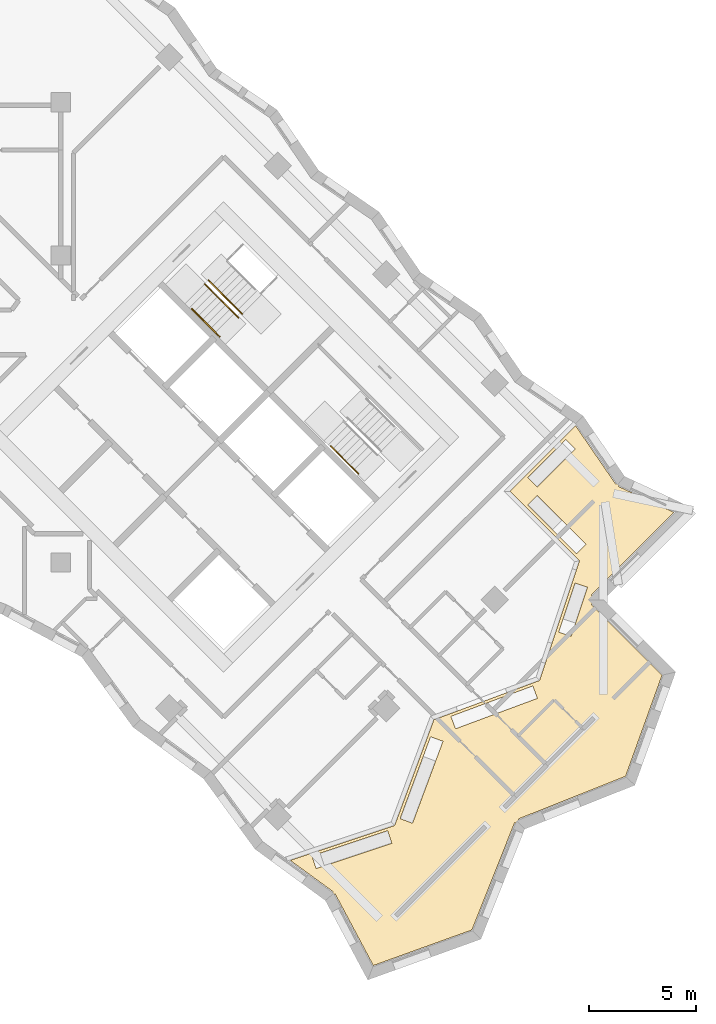
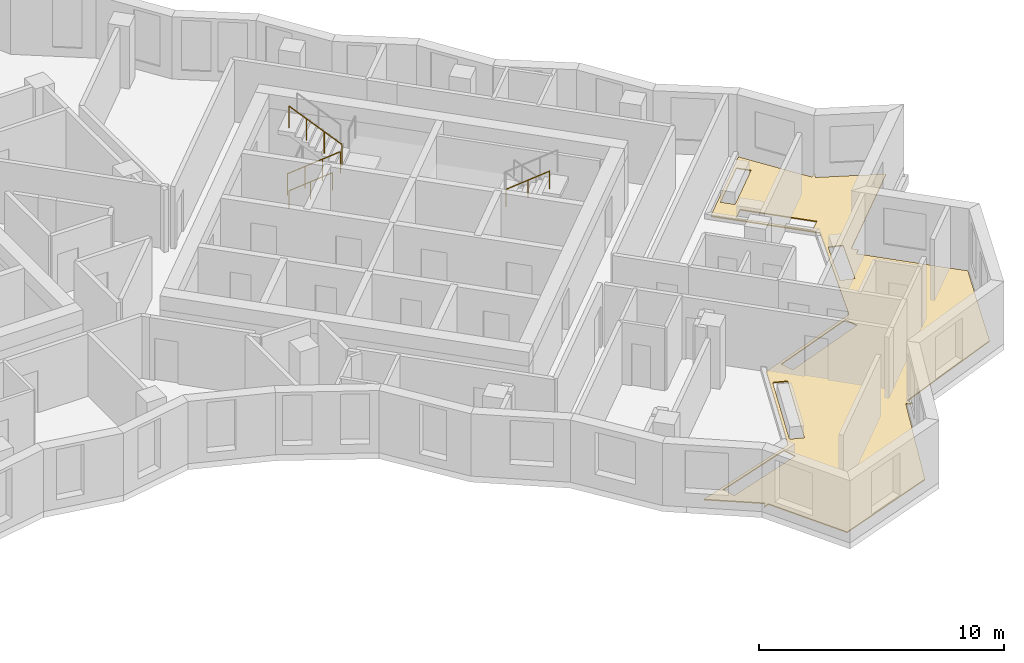
# One storey, part 12 of 13: 4 railings, 1 covering.
"""IFC4 building model written with IfcOpenShell, lengths in metres."""

from ifc_helpers import new_model, si_unit, direction, frame, origin, origin_2d, place, context, subcontext, project, spatial, polyline, circle, outline, extrude, material, layer, layer_set, type_object, element, save


model = new_model("IFC4")

# Units and contexts
model_context = context("Model", 3, precision=1e-05, world=origin(), true_north=direction((0.0, 1.0)))
body_context = subcontext(model_context, "Body", "Model", "MODEL_VIEW")
ifc_project = project(units=[si_unit("LENGTHUNIT", "METRE"), si_unit("AREAUNIT", "SQUARE_METRE"), si_unit("VOLUMEUNIT", "CUBIC_METRE"), si_unit("PLANEANGLEUNIT", "RADIAN"), si_unit("MASSUNIT", "GRAM", prefix="KILO")], contexts=[model_context])

# Site, building, storey
site_placement = place(None, origin())
site = spatial("IfcSite", under=ifc_project, at=site_placement, CompositionType="ELEMENT")
building_placement = place(site_placement, origin())
building = spatial("IfcBuilding", under=site, at=building_placement, Name="Windrow Commons", CompositionType="ELEMENT")
storey_placement = place(building_placement, frame((0.0, 0.0, 172.8)))
storey = spatial("IfcBuildingStorey", under=building, at=storey_placement, Name="L47", CompositionType="ELEMENT", Elevation=172.8)

# Railings
ifc_material_1 = material(Name="Steel S355", Category="steel")
railing_type_1 = type_object("IfcRailingType", Name="Core stair guard 1100", PredefinedType="GUARDRAIL", material=ifc_material_1)
railing_1_placement = place(storey_placement, frame((85.9529, 56.2669, 0.1889)))
element("IfcRailing", 1, at=railing_1_placement, inside=storey, type_object=railing_type_1, Name="L47 ST-B1 stair guard 1", PredefinedType="GUARDRAIL", context=body_context, shape_type="SweptSolid", body=[
    extrude(circle(Radius=0.024, at=origin_2d()), frame((0.0, 0.0, 1.076), z_axis=(0.5861914914, -0.5861914914, 0.5592486664), x_axis=(0.7071067812, 0.7071067812, 0.0)), (0.0, 0.0, 1.0), 2.702),
    extrude(circle(Radius=0.021, at=origin_2d()), origin(), (0.0, 0.0, 1.0), 1.052),
    extrude(circle(Radius=0.021, at=origin_2d()), frame((0.528, -0.528, 0.5037)), (0.0, 0.0, 1.0), 1.052),
    extrude(circle(Radius=0.021, at=origin_2d()), frame((1.0559, -1.0559, 1.0074)), (0.0, 0.0, 1.0), 1.052),
    extrude(circle(Radius=0.021, at=origin_2d()), frame((1.5839, -1.5839, 1.5111)), (0.0, 0.0, 1.0), 1.052),
])
railing_2_placement = place(storey_placement, frame((87.7136, 54.8597, 1.8889)))
element("IfcRailing", 2, at=railing_2_placement, inside=storey, type_object=railing_type_1, Name="L47 ST-B1 stair guard 2", PredefinedType="GUARDRAIL", context=body_context, shape_type="SweptSolid", body=[
    extrude(circle(Radius=0.024, at=origin_2d()), frame((0.0, 0.0, 1.076), z_axis=(-0.5862030657, 0.5862030657, 0.5592244018), x_axis=(-0.7071067812, -0.7071067812, 0.0)), (0.0, 0.0, 1.0), 2.7021),
    extrude(circle(Radius=0.021, at=origin_2d()), origin(), (0.0, 0.0, 1.0), 1.052),
    extrude(circle(Radius=0.021, at=origin_2d()), frame((-0.528, 0.528, 0.5037)), (0.0, 0.0, 1.0), 1.052),
    extrude(circle(Radius=0.021, at=origin_2d()), frame((-1.056, 1.056, 1.0074)), (0.0, 0.0, 1.0), 1.052),
    extrude(circle(Radius=0.021, at=origin_2d()), frame((-1.584, 1.584, 1.5111)), (0.0, 0.0, 1.0), 1.052),
])
ifc_material_2 = material(Name="Steel S355", Category="steel")
railing_type_2 = type_object("IfcRailingType", Name="Core stair handrail 900", PredefinedType="HANDRAIL", material=ifc_material_2)
railing_3_placement = place(storey_placement, frame((85.3518, 55.1001, 0.4587)))
element("IfcRailing", 3, at=railing_3_placement, inside=storey, type_object=railing_type_2, Name="L47 ST-B1 stair handrail 1", PredefinedType="HANDRAIL", context=body_context, shape_type="SweptSolid", body=[
    extrude(circle(Radius=0.024, at=origin_2d()), frame((0.0, 0.0, 0.876), z_axis=(0.586206706, -0.5861616513, 0.5592639952), x_axis=(0.7070796062, 0.7071339551, 0.0)), (0.0, 0.0, 1.0), 2.2195),
    extrude(circle(Radius=0.021, at=origin_2d()), origin(), (0.0, 0.0, 1.0), 0.852),
    extrude(circle(Radius=0.021, at=origin_2d()), frame((0.6506, -0.6505, 0.6206)), (0.0, 0.0, 1.0), 0.852),
    extrude(circle(Radius=0.021, at=origin_2d()), frame((1.3011, -1.301, 1.2413)), (0.0, 0.0, 1.0), 0.852),
])
railing_4_placement = place(storey_placement, frame((91.8678, 48.6619, 2.1587)))
element("IfcRailing", 4, at=railing_4_placement, inside=storey, type_object=railing_type_2, Name="L47 ST-B2 stair handrail 2", PredefinedType="HANDRAIL", context=body_context, shape_type="SweptSolid", body=[
    extrude(circle(Radius=0.024, at=origin_2d()), frame((0.0, 0.0, 0.876), z_axis=(0.586206706, -0.5861616513, 0.5592639952), x_axis=(0.7070796062, 0.7071339551, 0.0)), (0.0, 0.0, 1.0), 2.2195),
    extrude(circle(Radius=0.021, at=origin_2d()), origin(), (0.0, 0.0, 1.0), 0.852),
    extrude(circle(Radius=0.021, at=origin_2d()), frame((0.6505, -0.6505, 0.6206)), (0.0, 0.0, 1.0), 0.852),
    extrude(circle(Radius=0.021, at=origin_2d()), frame((1.3011, -1.301, 1.2413)), (0.0, 0.0, 1.0), 0.852),
])

# Covering
ifc_material_3 = material(Name="Granite pavers on waterproofing membrane", Category="masonry")
ifc_layer = layer(ifc_material_3, 0.05)
ifc_layer_set = layer_set([ifc_layer], Name="Terrace roofing 50")
covering_type = type_object("IfcCoveringType", Name="Terrace roofing 50", PredefinedType="ROOFING", material=ifc_layer_set)
covering_placement = place(storey_placement, origin())
element("IfcCovering", 5, at=covering_placement, inside=storey, type_object=covering_type, Name="Terrace roofing TR-L47-1", PredefinedType="ROOFING", context=body_context, shape_type="SweptSolid", body=[
    extrude(outline(polyline([(102.2485, 39.4062), (103.3953, 42.8464), (103.5422, 43.2877), (100.286, 46.5442), (103.359, 49.6172), (105.2421, 46.8727), (105.4894, 47.0424), (105.3625, 46.7706), (107.9757, 45.5506), (104.0901, 41.6651), (104.3022, 41.453), (104.0901, 41.2409), (107.4141, 37.9169), (105.7021, 33.1698), (100.6649, 31.1656), (100.7758, 30.8868), (100.4971, 30.9977), (98.4929, 25.9605), (93.865, 24.2915), (92.0728, 27.6508), (91.8081, 27.5096), (91.985, 27.7519), (89.9622, 29.2293), (94.8666, 30.8641), (96.7087, 35.8236), (101.6683, 37.6657), (101.9355, 38.467), (102.2485, 39.4062)]), holes=[polyline([(94.5384, 30.6177), (90.9858, 29.4335), (91.1818, 28.8453), (94.7344, 30.0295), (94.5384, 30.6177)]), polyline([(96.5514, 35.0269), (95.1239, 31.1837), (95.7051, 30.9678), (97.1326, 34.811), (96.5514, 35.0269)]), polyline([(101.3487, 37.4084), (97.5054, 35.9809), (97.7213, 35.3997), (101.5646, 36.8272), (101.3487, 37.4084)]), polyline([(103.917, 42.0402), (103.3289, 42.2362), (102.5615, 39.9343), (103.1496, 39.7383), (103.917, 42.0402)]), polyline([(101.1132, 45.9007), (103.4021, 43.6117), (103.8406, 44.0501), (101.5517, 46.3391), (101.1132, 45.9007)]), polyline([(102.8968, 48.9712), (101.1133, 47.1877), (101.5517, 46.7493), (103.3352, 48.5328), (102.8968, 48.9712)])]), origin(), (0.0, 0.0, 1.0), 0.05),
])

save(model, "model.ifc")
